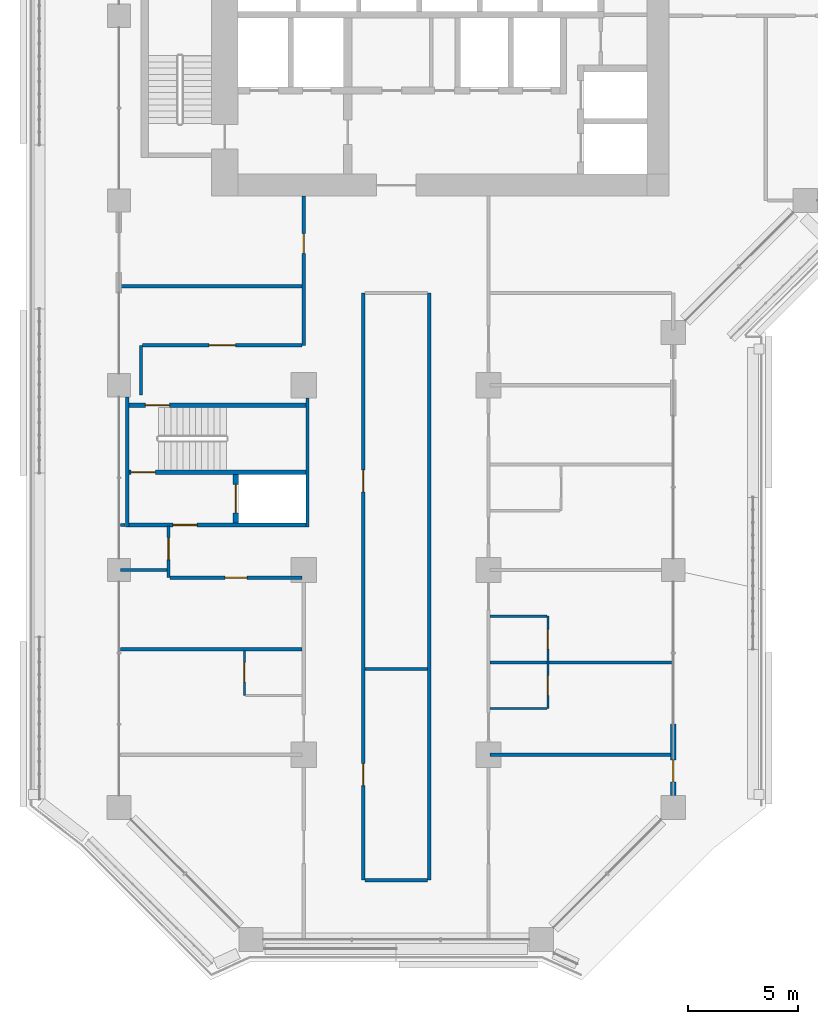
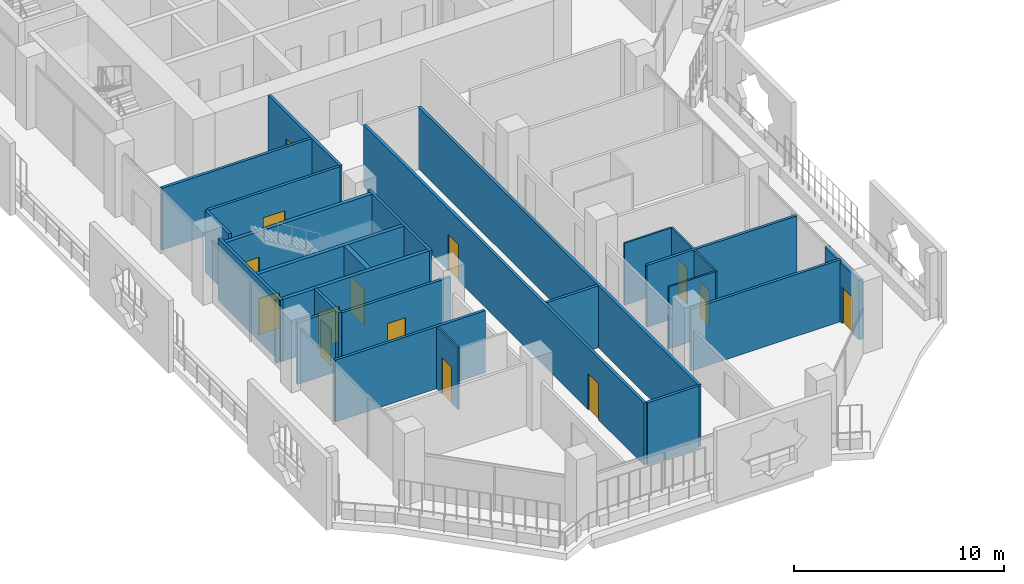
# One storey, part 13 of 27: 26 walls, 14 doors, 14 openings.
"""IFC4 building model written with IfcOpenShell, lengths in metres."""

from ifc_helpers import new_model, si_unit, direction, frame, frame_2d, origin, place, context, subcontext, project, spatial, rectangle, extrude, material, layer, layer_set, type_object, element, fill, save


model = new_model("IFC4")

# Units and contexts
model_context = context("Model", 3, precision=1e-05, world=origin(), true_north=direction((0.0, 1.0)))
body_context = subcontext(model_context, "Body", "Model", "MODEL_VIEW")
ifc_project = project(units=[si_unit("LENGTHUNIT", "METRE"), si_unit("AREAUNIT", "SQUARE_METRE"), si_unit("VOLUMEUNIT", "CUBIC_METRE"), si_unit("PLANEANGLEUNIT", "RADIAN"), si_unit("MASSUNIT", "GRAM", prefix="KILO")], contexts=[model_context])

# Site, building, storey
site_placement = place(None, origin())
site = spatial("IfcSite", under=ifc_project, at=site_placement, CompositionType="ELEMENT")
building_placement = place(site_placement, origin())
building = spatial("IfcBuilding", under=site, at=building_placement, Name="Kawkab Arch Medical Tower", CompositionType="ELEMENT")
storey_placement = place(building_placement, frame((0.0, 0.0, 115.60009765625)))
storey = spatial("IfcBuildingStorey", under=building, at=storey_placement, Name="L26", CompositionType="ELEMENT", Elevation=115.60009765625)

# Wall, opening, door
ifc_material_1 = material(Name="Concrete C60/75", Category="concrete")
ifc_layer_1 = layer(ifc_material_1, 0.25)
ifc_layer_set_1 = layer_set([ifc_layer_1], Name="Concrete C60/75")
wall_type_1 = type_object("IfcWallType", Name="Core shear wall 250 C60/75", PredefinedType="SHEAR", material=ifc_layer_set_1)
wall_1_placement = place(storey_placement, frame((5.300048828125, -39.85009765625, 0.0), z_axis=(0.0, 0.0, 1.0), x_axis=(0.0, 1.0, 0.0)))
wall_1 = element("IfcWall", 1, at=wall_1_placement, inside=storey, type_object=wall_type_1, Name="L26 core shear wall", PredefinedType="SHEAR", context=body_context, shape_type="SweptSolid", body=[
    extrude(rectangle(XDim=2.2001953125, YDim=0.25, at=frame_2d((1.10009765625, 0.0))), origin(), (0.0, 0.0, 1.0), 3.599853515625),
])
opening_1_placement = place(wall_1_placement, frame((0.449951171875, 0.0, 0.0)))
opening_1 = element("IfcOpeningElement", 2, at=opening_1_placement, cuts=wall_1, Name="Opening LD2", PredefinedType="OPENING", context=body_context, shape_type="SweptSolid", body=[
    extrude(rectangle(XDim=1.300048828125, YDim=2.10009765625, at=frame_2d((0.64990234375, 1.050048828125))), frame((0.0, 0.135009765625, 0.0), z_axis=(0.0, -1.0, 0.0), x_axis=(1.0, 0.0, 0.0)), (0.0, 0.0, 1.0), 0.27001953125),
])
ifc_material_2 = material(Name="Stainless steel lift door leaf", Category="steel")
door_type_1 = type_object("IfcDoorType", Name="Lift landing door 1300", OperationType="DOUBLE_DOOR_SLIDING", PredefinedType="DOOR", material=ifc_material_2)
door_1_placement = place(opening_1_placement, origin())
door_1 = element("IfcDoor", 3, at=door_1_placement, inside=storey, type_object=door_type_1, Name="L26 Lift landing door SV2", OperationType="DOUBLE_DOOR_SLIDING", OverallHeight=2.10009765625, OverallWidth=1.300048828125, PredefinedType="DOOR", context=body_context, shape_type="SweptSolid", body=[
    extrude(rectangle(XDim=1.300048828125, YDim=2.10009765625, at=frame_2d((0.64990234375, 1.050048828125))), frame((0.0, 0.02490234375, 0.0), z_axis=(0.0, -1.0, 0.0), x_axis=(1.0, 0.0, 0.0)), (0.0, 0.0, 1.0), 0.050048828125),
])
fill(opening_1, door_1)

ifc_material_3 = material(Name="Bronze clad insulated wall panel")
ifc_layer_2 = layer(ifc_material_3, 0.25)
ifc_layer_set_2 = layer_set([ifc_layer_2], Name="Bronze clad insulated wall panel")
wall_type_2 = type_object("IfcWallType", Name="External wall bay 250", PredefinedType="SOLIDWALL", material=ifc_layer_set_2)
wall_2_placement = place(storey_placement, frame((25.199951171875, -52.25, 0.0), z_axis=(0.0, 0.0, 1.0), x_axis=(0.0, 1.0, 0.0)))
wall_2 = element("IfcWall", 4, at=wall_2_placement, inside=storey, type_object=wall_type_2, Name="External wall bay L26.R05.1.1", PredefinedType="SOLIDWALL", context=body_context, shape_type="SweptSolid", body=[
    extrude(rectangle(XDim=3.24169921875, YDim=0.25, at=frame_2d((1.620849609375, 0.0))), origin(), (0.0, 0.0, 1.0), 3.47998046875),
])
opening_2_placement = place(wall_2_placement, frame((0.620849609375, 0.0, 0.0)))
opening_2 = element("IfcOpeningElement", 5, at=opening_2_placement, cuts=wall_2, Name="Opening W26-702", PredefinedType="OPENING", context=body_context, shape_type="SweptSolid", body=[
    extrude(rectangle(XDim=1.0, YDim=2.10009765625, at=frame_2d((0.5, 1.050048828125))), frame((0.0, 0.135009765625, 0.0), z_axis=(0.0, -1.0, 0.0), x_axis=(1.0, 0.0, 0.0)), (0.0, 0.0, 1.0), 0.27001953125),
])
ifc_material_4 = material(Name="Bronze anodised aluminium door with tinted glass", Category="aluminium")
door_type_2 = type_object("IfcDoorType", Name="Single external door 1000 x 2100", OperationType="SINGLE_SWING_LEFT", PredefinedType="DOOR", material=ifc_material_4)
door_2_placement = place(opening_2_placement, origin())
door_2 = element("IfcDoor", 6, at=door_2_placement, inside=storey, type_object=door_type_2, Name="External door L26.R05.1.1", OperationType="SINGLE_SWING_LEFT", OverallHeight=2.10009765625, OverallWidth=1.0, PredefinedType="DOOR", context=body_context, shape_type="SweptSolid", body=[
    extrude(rectangle(XDim=1.0, YDim=2.10009765625, at=frame_2d((0.5, 1.050048828125))), frame((0.0, 0.02490234375, 0.0), z_axis=(0.0, -1.0, 0.0), x_axis=(1.0, 0.0, 0.0)), (0.0, 0.0, 1.0), 0.050048828125),
])
fill(opening_2, door_2)

# Walls
ifc_material_5 = material(Name="Gypsum board partition on steel studs", Category="steel")
ifc_layer_3 = layer(ifc_material_5, 0.10009765625)
ifc_layer_set_3 = layer_set([ifc_layer_3], Name="Gypsum board partition on steel studs")
wall_type_3 = type_object("IfcWallType", Name="Partition 100", PredefinedType="PARTITIONING", material=ifc_layer_set_3)
for number, where, z_axis, x_axis, name in (
    (7, (16.875, -48.300048828125, 0.0), (0.0, 0.0, 1.0), (1.0, 0.0, 0.0), "Partition 100 w001"),
    (8, (16.875, -44.10009765625, 0.0), (0.0, 0.0, 1.0), (1.0, 0.0, 0.0), "Partition 100 w003"),
):
    element("IfcWall", number, at=place(storey_placement, frame(where, z_axis=z_axis, x_axis=x_axis)), inside=storey, type_object=wall_type_3, Name=name, PredefinedType="PARTITIONING", context=body_context, shape_type="SweptSolid", body=[
        extrude(rectangle(XDim=2.574951171875, YDim=0.10009765625, at=frame_2d((1.28759765625, 0.0))), origin(), (0.0, 0.0, 1.0), 3.599853515625),
    ])

# Wall, opening, door
wall_3_placement = place(storey_placement, frame((5.699951171875, -47.699951171875, 0.0), z_axis=(0.0, 0.0, 1.0), x_axis=(0.0, 1.0, 0.0)))
wall_3 = element("IfcWall", 9, at=wall_3_placement, inside=storey, type_object=wall_type_3, Name="Partition 100 w013", PredefinedType="PARTITIONING", context=body_context, shape_type="SweptSolid", body=[
    extrude(rectangle(XDim=2.02490234375, YDim=0.10009765625, at=frame_2d((1.012451171875, 0.0))), origin(), (0.0, 0.0, 1.0), 3.599853515625),
])
opening_3_placement = place(wall_3_placement, frame((0.60009765625, 0.0, 0.0)))
opening_3 = element("IfcOpeningElement", 10, at=opening_3_placement, cuts=wall_3, Name="Opening W26-021", PredefinedType="OPENING", context=body_context, shape_type="SweptSolid", body=[
    extrude(rectangle(XDim=0.89990234375, YDim=2.10009765625, at=frame_2d((0.449951171875, 1.050048828125))), frame((0.0, 0.06005859375, 0.0), z_axis=(0.0, -1.0, 0.0), x_axis=(1.0, 0.0, 0.0)), (0.0, 0.0, 1.0), 0.1201171875),
])
ifc_material_6 = material(Name="Timber door leaf", Category="wood")
door_type_3 = type_object("IfcDoorType", Name="Single door 900x2100", OperationType="NOTDEFINED", PredefinedType="DOOR", material=ifc_material_6)
door_3_placement = place(opening_3_placement, origin())
door_3 = element("IfcDoor", 11, at=door_3_placement, inside=storey, type_object=door_type_3, Name="Door W26-021", OperationType="SINGLE_SWING_LEFT", OverallHeight=2.10009765625, OverallWidth=0.89990234375, PredefinedType="DOOR", context=body_context, shape_type="SweptSolid", body=[
    extrude(rectangle(XDim=0.89990234375, YDim=2.10009765625, at=frame_2d((0.449951171875, 1.050048828125))), frame((0.0, 0.02490234375, 0.0), z_axis=(0.0, -1.0, 0.0), x_axis=(1.0, 0.0, 0.0)), (0.0, 0.0, 1.0), 0.050048828125),
])
fill(opening_3, door_3)

# Wall, openings, doors
wall_4_placement = place(storey_placement, frame((19.5, -48.300048828125, 0.0), z_axis=(0.0, 0.0, 1.0), x_axis=(0.0, 1.0, 0.0)))
wall_4 = element("IfcWall", 12, at=wall_4_placement, inside=storey, type_object=wall_type_3, Name="Partition 100 w014", PredefinedType="PARTITIONING", context=body_context, shape_type="SweptSolid", body=[
    extrude(rectangle(XDim=4.199951171875, YDim=0.10009765625, at=frame_2d((2.10009765625, 0.0))), origin(), (0.0, 0.0, 1.0), 3.599853515625),
])
opening_4_placement = place(wall_4_placement, frame((2.699951171875, 0.0, 0.0)))
opening_4 = element("IfcOpeningElement", 13, at=opening_4_placement, cuts=wall_4, Name="Opening W26-023", PredefinedType="OPENING", context=body_context, shape_type="SweptSolid", body=[
    extrude(rectangle(XDim=0.89990234375, YDim=2.10009765625, at=frame_2d((0.449951171875, 1.050048828125))), frame((0.0, 0.06005859375, 0.0), z_axis=(0.0, -1.0, 0.0), x_axis=(1.0, 0.0, 0.0)), (0.0, 0.0, 1.0), 0.1201171875),
])
opening_5_placement = place(wall_4_placement, frame((0.60009765625, 0.0, 0.0)))
opening_5 = element("IfcOpeningElement", 14, at=opening_5_placement, cuts=wall_4, Name="Opening W26-024", PredefinedType="OPENING", context=body_context, shape_type="SweptSolid", body=[
    extrude(rectangle(XDim=0.89990234375, YDim=2.10009765625, at=frame_2d((0.449951171875, 1.050048828125))), frame((0.0, 0.06005859375, 0.0), z_axis=(0.0, -1.0, 0.0), x_axis=(1.0, 0.0, 0.0)), (0.0, 0.0, 1.0), 0.1201171875),
])
door_4_placement = place(opening_4_placement, origin())
door_4 = element("IfcDoor", 15, at=door_4_placement, inside=storey, type_object=door_type_3, Name="Door W26-023", OperationType="SINGLE_SWING_LEFT", OverallHeight=2.10009765625, OverallWidth=0.89990234375, PredefinedType="DOOR", context=body_context, shape_type="SweptSolid", body=[
    extrude(rectangle(XDim=0.89990234375, YDim=2.10009765625, at=frame_2d((0.449951171875, 1.050048828125))), frame((0.0, 0.02490234375, 0.0), z_axis=(0.0, -1.0, 0.0), x_axis=(1.0, 0.0, 0.0)), (0.0, 0.0, 1.0), 0.050048828125),
])
fill(opening_4, door_4)
door_5_placement = place(opening_5_placement, origin())
door_5 = element("IfcDoor", 16, at=door_5_placement, inside=storey, type_object=door_type_3, Name="Door W26-024", OperationType="SINGLE_SWING_RIGHT", OverallHeight=2.10009765625, OverallWidth=0.89990234375, PredefinedType="DOOR", context=body_context, shape_type="SweptSolid", body=[
    extrude(rectangle(XDim=0.89990234375, YDim=2.10009765625, at=frame_2d((0.449951171875, 1.050048828125))), frame((0.0, 0.02490234375, 0.0), z_axis=(0.0, -1.0, 0.0), x_axis=(1.0, 0.0, 0.0)), (0.0, 0.0, 1.0), 0.050048828125),
])
fill(opening_5, door_5)

# Walls
ifc_material_7 = material(Name="Gypsum board partition on steel studs, mineral wool", Category="steel")
ifc_layer_4 = layer(ifc_material_7, 0.14990234375)
ifc_layer_set_4 = layer_set([ifc_layer_4], Name="Gypsum board partition on steel studs, mineral wool")
wall_type_4 = type_object("IfcWallType", Name="Partition 150", PredefinedType="PARTITIONING", material=ifc_layer_set_4)
wall_5_placement = place(storey_placement, frame((11.175048828125, -56.10009765625, 0.0), z_axis=(0.0, 0.0, 1.0), x_axis=(1.0, 0.0, 0.0)))
element("IfcWall", 17, at=wall_5_placement, inside=storey, type_object=wall_type_4, Name="Partition 150 w027", PredefinedType="PARTITIONING", context=body_context, shape_type="SweptSolid", body=[
    extrude(rectangle(XDim=2.849853515625, YDim=0.14990234375, at=frame_2d((1.4248046875, 0.0))), origin(), (0.0, 0.0, 1.0), 3.599853515625),
])
wall_6_placement = place(storey_placement, frame((16.875, -50.39990234375, 0.0), z_axis=(0.0, 0.0, 1.0), x_axis=(1.0, 0.0, 0.0)))
element("IfcWall", 18, at=wall_6_placement, inside=storey, type_object=wall_type_4, Name="Partition 150 w029", PredefinedType="PARTITIONING", context=body_context, shape_type="SweptSolid", body=[
    extrude(rectangle(XDim=8.2451171875, YDim=0.14990234375, at=frame_2d((4.12255859375, 0.0))), origin(), (0.0, 0.0, 1.0), 3.599853515625),
])
wall_7_placement = place(storey_placement, frame((11.175048828125, -46.5, 0.0), z_axis=(0.0, 0.0, 1.0), x_axis=(1.0, 0.0, 0.0)))
element("IfcWall", 19, at=wall_7_placement, inside=storey, type_object=wall_type_4, Name="Partition 150 w030", PredefinedType="PARTITIONING", context=body_context, shape_type="SweptSolid", body=[
    extrude(rectangle(XDim=2.849853515625, YDim=0.14990234375, at=frame_2d((1.4248046875, 0.0))), origin(), (0.0, 0.0, 1.0), 3.599853515625),
])
wall_8_placement = place(storey_placement, frame((16.875, -46.199951171875, 0.0), z_axis=(0.0, 0.0, 1.0), x_axis=(1.0, 0.0, 0.0)))
element("IfcWall", 20, at=wall_8_placement, inside=storey, type_object=wall_type_4, Name="Partition 150 w031", PredefinedType="PARTITIONING", context=body_context, shape_type="SweptSolid", body=[
    extrude(rectangle(XDim=8.2451171875, YDim=0.14990234375, at=frame_2d((4.12255859375, 0.0))), origin(), (0.0, 0.0, 1.0), 3.599853515625),
])
wall_9_placement = place(storey_placement, frame((0.080078125, -45.60009765625, 0.0), z_axis=(0.0, 0.0, 1.0), x_axis=(1.0, 0.0, 0.0)))
element("IfcWall", 21, at=wall_9_placement, inside=storey, type_object=wall_type_4, Name="Partition 150 w032", PredefinedType="PARTITIONING", context=body_context, shape_type="SweptSolid", body=[
    extrude(rectangle(XDim=8.244873046875, YDim=0.14990234375, at=frame_2d((4.12255859375, 0.0))), origin(), (0.0, 0.0, 1.0), 3.599853515625),
])

# Wall, opening, door
wall_10_placement = place(storey_placement, frame((2.326904296875, -42.35009765625, 0.0), z_axis=(0.0, 0.0, 1.0), x_axis=(1.0, 0.0, 0.0)))
wall_10 = element("IfcWall", 22, at=wall_10_placement, inside=storey, type_object=wall_type_4, Name="Partition 150 w033", PredefinedType="PARTITIONING", context=body_context, shape_type="SweptSolid", body=[
    extrude(rectangle(XDim=5.998046875, YDim=0.14990234375, at=frame_2d((2.9990234375, 0.0))), origin(), (0.0, 0.0, 1.0), 3.599853515625),
])
opening_6_placement = place(wall_10_placement, frame((2.4990234375, 0.0, 0.0)))
opening_6 = element("IfcOpeningElement", 23, at=opening_6_placement, cuts=wall_10, Name="Opening W26-032", PredefinedType="OPENING", context=body_context, shape_type="SweptSolid", body=[
    extrude(rectangle(XDim=1.0, YDim=2.10009765625, at=frame_2d((0.5, 1.050048828125))), frame((0.0, 0.0849609375, 0.0), z_axis=(0.0, -1.0, 0.0), x_axis=(1.0, 0.0, 0.0)), (0.0, 0.0, 1.0), 0.169921875),
])
ifc_material_8 = material(Name="Hollow metal door leaf")
door_type_4 = type_object("IfcDoorType", Name="Single door 1000x2100 FD30S", OperationType="NOTDEFINED", PredefinedType="DOOR", material=ifc_material_8)
door_6_placement = place(opening_6_placement, origin())
door_6 = element("IfcDoor", 24, at=door_6_placement, inside=storey, type_object=door_type_4, Name="Door W26-032", OperationType="SINGLE_SWING_RIGHT", OverallHeight=2.10009765625, OverallWidth=1.0, PredefinedType="DOOR", context=body_context, shape_type="SweptSolid", body=[
    extrude(rectangle(XDim=1.0, YDim=2.10009765625, at=frame_2d((0.5, 1.050048828125))), frame((0.0, 0.02490234375, 0.0), z_axis=(0.0, -1.0, 0.0), x_axis=(1.0, 0.0, 0.0)), (0.0, 0.0, 1.0), 0.050048828125),
])
fill(opening_6, door_6)

# Walls
wall_11_placement = place(storey_placement, frame((0.080078125, -42.0, 0.0), z_axis=(0.0, 0.0, 1.0), x_axis=(1.0, 0.0, 0.0)))
element("IfcWall", 25, at=wall_11_placement, inside=storey, type_object=wall_type_4, Name="Partition 150 w034", PredefinedType="PARTITIONING", context=body_context, shape_type="SweptSolid", body=[
    extrude(rectangle(XDim=2.094970703125, YDim=0.14990234375, at=frame_2d((1.04736328125, 0.0))), origin(), (0.0, 0.0, 1.0), 3.599853515625),
])
wall_12_placement = place(storey_placement, frame((0.080078125, -39.949951171875, 0.0), z_axis=(0.0, 0.0, 1.0), x_axis=(1.0, 0.0, 0.0)))
element("IfcWall", 26, at=wall_12_placement, inside=storey, type_object=wall_type_4, Name="Partition 150 w036", PredefinedType="PARTITIONING", context=body_context, shape_type="SweptSolid", body=[
    extrude(rectangle(XDim=0.18994140625, YDim=0.14990234375, at=frame_2d((0.094970703125, 0.0))), origin(), (0.0, 0.0, 1.0), 3.599853515625),
])

# Wall, opening, door
wall_13_placement = place(storey_placement, frame((1.076904296875, -31.781982421875, 0.0), z_axis=(0.0, 0.0, 1.0), x_axis=(1.0, 0.0, 0.0)))
wall_13 = element("IfcWall", 27, at=wall_13_placement, inside=storey, type_object=wall_type_4, Name="Partition 150 w039", PredefinedType="PARTITIONING", context=body_context, shape_type="SweptSolid", body=[
    extrude(rectangle(XDim=7.248046875, YDim=0.14990234375, at=frame_2d((3.6240234375, 0.0))), origin(), (0.0, 0.0, 1.0), 3.599853515625),
])
opening_7_placement = place(wall_13_placement, frame((3.02392578125, 0.0, 0.0)))
opening_7 = element("IfcOpeningElement", 28, at=opening_7_placement, cuts=wall_13, Name="Opening W26-052", PredefinedType="OPENING", context=body_context, shape_type="SweptSolid", body=[
    extrude(rectangle(XDim=1.199951171875, YDim=2.10009765625, at=frame_2d((0.60009765625, 1.050048828125))), frame((0.0, 0.0849609375, 0.0), z_axis=(0.0, -1.0, 0.0), x_axis=(1.0, 0.0, 0.0)), (0.0, 0.0, 1.0), 0.169921875),
])
ifc_material_9 = material(Name="Hollow metal door leaf")
door_type_5 = type_object("IfcDoorType", Name="Single door 1200x2100 FD30S", OperationType="NOTDEFINED", PredefinedType="DOOR", material=ifc_material_9)
door_7_placement = place(opening_7_placement, origin())
door_7 = element("IfcDoor", 29, at=door_7_placement, inside=storey, type_object=door_type_5, Name="Door W26-052", OperationType="SINGLE_SWING_LEFT", OverallHeight=2.10009765625, OverallWidth=1.199951171875, PredefinedType="DOOR", context=body_context, shape_type="SweptSolid", body=[
    extrude(rectangle(XDim=1.199951171875, YDim=2.10009765625, at=frame_2d((0.60009765625, 1.050048828125))), frame((0.0, 0.02490234375, 0.0), z_axis=(0.0, -1.0, 0.0), x_axis=(1.0, 0.0, 0.0)), (0.0, 0.0, 1.0), 0.050048828125),
])
fill(opening_7, door_7)

# Walls
wall_14_placement = place(storey_placement, frame((0.080078125, -29.10009765625, 0.0), z_axis=(0.0, 0.0, 1.0), x_axis=(1.0, 0.0, 0.0)))
element("IfcWall", 30, at=wall_14_placement, inside=storey, type_object=wall_type_4, Name="Partition 150 w042", PredefinedType="PARTITIONING", context=body_context, shape_type="SweptSolid", body=[
    extrude(rectangle(XDim=8.244873046875, YDim=0.14990234375, at=frame_2d((4.12255859375, 0.0))), origin(), (0.0, 0.0, 1.0), 3.599853515625),
])
wall_15_placement = place(storey_placement, frame((1.0, -34.048095703125, 0.0), z_axis=(0.0, 0.0, 1.0), x_axis=(0.0, 1.0, 0.0)))
element("IfcWall", 31, at=wall_15_placement, inside=storey, type_object=wall_type_4, Name="Partition 150 w056", PredefinedType="PARTITIONING", context=body_context, shape_type="SweptSolid", body=[
    extrude(rectangle(XDim=2.26513671875, YDim=0.14990234375, at=frame_2d((1.132568359375, 0.0))), origin(), (0.0, 0.0, 1.0), 3.599853515625),
])

# Wall, opening, door
wall_16_placement = place(storey_placement, frame((2.25, -42.347900390625, 0.0), z_axis=(0.0, 0.0, 1.0), x_axis=(0.0, 1.0, 0.0)))
wall_16 = element("IfcWall", 32, at=wall_16_placement, inside=storey, type_object=wall_type_4, Name="Partition 150 w057", PredefinedType="PARTITIONING", context=body_context, shape_type="SweptSolid", body=[
    extrude(rectangle(XDim=2.347900390625, YDim=0.14990234375, at=frame_2d((1.173828125, 0.0))), origin(), (0.0, 0.0, 1.0), 3.599853515625),
])
opening_8_placement = place(wall_16_placement, frame((0.822998046875, 0.0, 0.0)))
opening_8 = element("IfcOpeningElement", 33, at=opening_8_placement, cuts=wall_16, Name="Opening W26-031", PredefinedType="OPENING", context=body_context, shape_type="SweptSolid", body=[
    extrude(rectangle(XDim=1.0, YDim=2.10009765625, at=frame_2d((0.5, 1.050048828125))), frame((0.0, 0.0849609375, 0.0), z_axis=(0.0, -1.0, 0.0), x_axis=(1.0, 0.0, 0.0)), (0.0, 0.0, 1.0), 0.169921875),
])
door_8_placement = place(opening_8_placement, origin())
door_8 = element("IfcDoor", 34, at=door_8_placement, inside=storey, type_object=door_type_4, Name="Door W26-031", OperationType="SINGLE_SWING_RIGHT", OverallHeight=2.10009765625, OverallWidth=1.0, PredefinedType="DOOR", context=body_context, shape_type="SweptSolid", body=[
    extrude(rectangle(XDim=1.0, YDim=2.10009765625, at=frame_2d((0.5, 1.050048828125))), frame((0.0, 0.02490234375, 0.0), z_axis=(0.0, -1.0, 0.0), x_axis=(1.0, 0.0, 0.0)), (0.0, 0.0, 1.0), 0.050048828125),
])
fill(opening_8, door_8)

wall_17_placement = place(storey_placement, frame((8.39990234375, -31.781982421875, 0.0), z_axis=(0.0, 0.0, 1.0), x_axis=(0.0, 1.0, 0.0)))
wall_17 = element("IfcWall", 35, at=wall_17_placement, inside=storey, type_object=wall_type_4, Name="Partition 150 w059", PredefinedType="PARTITIONING", context=body_context, shape_type="SweptSolid", body=[
    extrude(rectangle(XDim=6.781982421875, YDim=0.14990234375, at=frame_2d((3.39111328125, 0.0))), origin(), (0.0, 0.0, 1.0), 3.599853515625),
])
opening_9_placement = place(wall_17_placement, frame((4.181884765625, 0.0, 0.0)))
opening_9 = element("IfcOpeningElement", 36, at=opening_9_placement, cuts=wall_17, Name="Opening W26-020", PredefinedType="OPENING", context=body_context, shape_type="SweptSolid", body=[
    extrude(rectangle(XDim=0.89990234375, YDim=2.10009765625, at=frame_2d((0.449951171875, 1.050048828125))), frame((0.0, 0.0849609375, 0.0), z_axis=(0.0, -1.0, 0.0), x_axis=(1.0, 0.0, 0.0)), (0.0, 0.0, 1.0), 0.169921875),
])
door_9_placement = place(opening_9_placement, origin())
door_9 = element("IfcDoor", 37, at=door_9_placement, inside=storey, type_object=door_type_3, Name="Door W26-020", OperationType="SINGLE_SWING_RIGHT", OverallHeight=2.10009765625, OverallWidth=0.89990234375, PredefinedType="DOOR", context=body_context, shape_type="SweptSolid", body=[
    extrude(rectangle(XDim=0.89990234375, YDim=2.10009765625, at=frame_2d((0.449951171875, 1.050048828125))), frame((0.0, 0.02490234375, 0.0), z_axis=(0.0, -1.0, 0.0), x_axis=(1.0, 0.0, 0.0)), (0.0, 0.0, 1.0), 0.050048828125),
])
fill(opening_9, door_9)

# Wall, openings, doors
wall_18_placement = place(storey_placement, frame((11.10009765625, -56.10009765625, 0.0), z_axis=(0.0, 0.0, 1.0), x_axis=(0.0, 1.0, 0.0)))
wall_18 = element("IfcWall", 38, at=wall_18_placement, inside=storey, type_object=wall_type_4, Name="Partition 150 w060", PredefinedType="PARTITIONING", context=body_context, shape_type="SweptSolid", body=[
    extrude(rectangle(XDim=26.7001953125, YDim=0.14990234375, at=frame_2d((13.35009765625, 0.0))), origin(), (0.0, 0.0, 1.0), 3.599853515625),
])
opening_10_placement = place(wall_18_placement, frame((17.64990234375, 0.0, 0.0)))
opening_10 = element("IfcOpeningElement", 39, at=opening_10_placement, cuts=wall_18, Name="Opening W26-033", PredefinedType="OPENING", context=body_context, shape_type="SweptSolid", body=[
    extrude(rectangle(XDim=1.0, YDim=2.10009765625, at=frame_2d((0.5, 1.050048828125))), frame((0.0, 0.0849609375, 0.0), z_axis=(0.0, -1.0, 0.0), x_axis=(1.0, 0.0, 0.0)), (0.0, 0.0, 1.0), 0.169921875),
])
opening_11_placement = place(wall_18_placement, frame((4.300048828125, 0.0, 0.0)))
opening_11 = element("IfcOpeningElement", 40, at=opening_11_placement, cuts=wall_18, Name="Opening W26-034", PredefinedType="OPENING", context=body_context, shape_type="SweptSolid", body=[
    extrude(rectangle(XDim=1.0, YDim=2.10009765625, at=frame_2d((0.5, 1.050048828125))), frame((0.0, 0.0849609375, 0.0), z_axis=(0.0, -1.0, 0.0), x_axis=(1.0, 0.0, 0.0)), (0.0, 0.0, 1.0), 0.169921875),
])
door_10_placement = place(opening_10_placement, origin())
door_10 = element("IfcDoor", 41, at=door_10_placement, inside=storey, type_object=door_type_4, Name="Door W26-033", OperationType="SINGLE_SWING_LEFT", OverallHeight=2.10009765625, OverallWidth=1.0, PredefinedType="DOOR", context=body_context, shape_type="SweptSolid", body=[
    extrude(rectangle(XDim=1.0, YDim=2.10009765625, at=frame_2d((0.5, 1.050048828125))), frame((0.0, 0.02490234375, 0.0), z_axis=(0.0, -1.0, 0.0), x_axis=(1.0, 0.0, 0.0)), (0.0, 0.0, 1.0), 0.050048828125),
])
fill(opening_10, door_10)
door_11_placement = place(opening_11_placement, origin())
door_11 = element("IfcDoor", 42, at=door_11_placement, inside=storey, type_object=door_type_4, Name="Door W26-034", OperationType="SINGLE_SWING_RIGHT", OverallHeight=2.10009765625, OverallWidth=1.0, PredefinedType="DOOR", context=body_context, shape_type="SweptSolid", body=[
    extrude(rectangle(XDim=1.0, YDim=2.10009765625, at=frame_2d((0.5, 1.050048828125))), frame((0.0, 0.02490234375, 0.0), z_axis=(0.0, -1.0, 0.0), x_axis=(1.0, 0.0, 0.0)), (0.0, 0.0, 1.0), 0.050048828125),
])
fill(opening_11, door_11)

# Walls
wall_19_placement = place(storey_placement, frame((14.10009765625, -56.10009765625, 0.0), z_axis=(0.0, 0.0, 1.0), x_axis=(0.0, 1.0, 0.0)))
element("IfcWall", 43, at=wall_19_placement, inside=storey, type_object=wall_type_4, Name="Partition 150 w061", PredefinedType="PARTITIONING", context=body_context, shape_type="SweptSolid", body=[
    extrude(rectangle(XDim=26.7001953125, YDim=0.14990234375, at=frame_2d((13.35009765625, 0.0))), origin(), (0.0, 0.0, 1.0), 3.599853515625),
])
ifc_material_10 = material(Name="Concrete C50/60", Category="concrete")
ifc_layer_5 = layer(ifc_material_10, 0.14990234375)
ifc_layer_set_5 = layer_set([ifc_layer_5], Name="Concrete C50/60")
wall_type_5 = type_object("IfcWallType", Name="Stair enclosure wall 150 C50/60", PredefinedType="SHEAR", material=ifc_layer_set_5)
wall_20_placement = place(storey_placement, frame((0.375, -40.050048828125, 0.0), z_axis=(0.0, 0.0, 1.0), x_axis=(0.0, 1.0, 0.0)))
element("IfcWall", 44, at=wall_20_placement, inside=storey, type_object=wall_type_5, Name="L26 stair enclosure wall", PredefinedType="SHEAR", context=body_context, shape_type="SweptSolid", body=[
    extrude(rectangle(XDim=5.925048828125, YDim=0.14990234375, at=frame_2d((2.96240234375, 0.0))), origin(), (0.0, 0.0, 1.0), 3.599853515625),
])
wall_21_placement = place(storey_placement, frame((8.574951171875, -40.050048828125, 0.0), z_axis=(0.0, 0.0, 1.0), x_axis=(0.0, 1.0, 0.0)))
element("IfcWall", 45, at=wall_21_placement, inside=storey, type_object=wall_type_5, Name="L26 stair enclosure wall", PredefinedType="SHEAR", context=body_context, shape_type="SweptSolid", body=[
    extrude(rectangle(XDim=5.875, YDim=0.14990234375, at=frame_2d((2.9375, 0.0))), origin(), (0.0, 0.0, 1.0), 3.599853515625),
])

# Wall, opening, door
ifc_material_11 = material(Name="Concrete C50/60", Category="concrete")
ifc_layer_6 = layer(ifc_material_11, 0.199951171875)
ifc_layer_set_6 = layer_set([ifc_layer_6], Name="Concrete C50/60")
wall_type_6 = type_object("IfcWallType", Name="Stair enclosure wall 200 C50/60", PredefinedType="SHEAR", material=ifc_layer_set_6)
wall_22_placement = place(storey_placement, frame((0.449951171875, -34.5, 0.0), z_axis=(0.0, 0.0, 1.0), x_axis=(1.0, 0.0, 0.0)))
wall_22 = element("IfcWall", 46, at=wall_22_placement, inside=storey, type_object=wall_type_6, Name="L26 stair enclosure wall", PredefinedType="SHEAR", context=body_context, shape_type="SweptSolid", body=[
    extrude(rectangle(XDim=8.050048828125, YDim=0.199951171875, at=frame_2d((4.02490234375, 0.0))), origin(), (0.0, 0.0, 1.0), 3.599853515625),
])
opening_12_placement = place(wall_22_placement, frame((0.75, 0.0, 0.0)))
opening_12 = element("IfcOpeningElement", 47, at=opening_12_placement, cuts=wall_22, Name="Opening SD", PredefinedType="OPENING", context=body_context, shape_type="SweptSolid", body=[
    extrude(rectangle(XDim=1.10009765625, YDim=2.10009765625, at=frame_2d((0.550048828125, 1.050048828125))), frame((0.0, 0.10986328125, 0.0), z_axis=(0.0, -1.0, 0.0), x_axis=(1.0, 0.0, 0.0)), (0.0, 0.0, 1.0), 0.219970703125),
])
ifc_material_12 = material(Name="Hollow metal fire door leaf")
door_type_6 = type_object("IfcDoorType", Name="Exit stair door 1100", OperationType="SINGLE_SWING_LEFT", PredefinedType="DOOR", material=ifc_material_12)
door_12_placement = place(opening_12_placement, origin())
door_12 = element("IfcDoor", 48, at=door_12_placement, inside=storey, type_object=door_type_6, Name="L26 Exit stair ST6 door", OperationType="SINGLE_SWING_LEFT", OverallHeight=2.10009765625, OverallWidth=1.10009765625, PredefinedType="DOOR", context=body_context, shape_type="SweptSolid", body=[
    extrude(rectangle(XDim=1.10009765625, YDim=2.10009765625, at=frame_2d((0.550048828125, 1.050048828125))), frame((0.0, 0.02490234375, 0.0), z_axis=(0.0, -1.0, 0.0), x_axis=(1.0, 0.0, 0.0)), (0.0, 0.0, 1.0), 0.050048828125),
])
fill(opening_12, door_12)

wall_23_placement = place(storey_placement, frame((0.449951171875, -37.550048828125, 0.0), z_axis=(0.0, 0.0, 1.0), x_axis=(1.0, 0.0, 0.0)))
wall_23 = element("IfcWall", 49, at=wall_23_placement, inside=storey, type_object=wall_type_6, Name="L26 stair enclosure wall", PredefinedType="SHEAR", context=body_context, shape_type="SweptSolid", body=[
    extrude(rectangle(XDim=8.050048828125, YDim=0.199951171875, at=frame_2d((4.02490234375, 0.0))), origin(), (0.0, 0.0, 1.0), 3.599853515625),
])
opening_13_placement = place(wall_23_placement, frame((0.10009765625, 0.0, 0.0)))
opening_13 = element("IfcOpeningElement", 50, at=opening_13_placement, cuts=wall_23, Name="Opening SD", PredefinedType="OPENING", context=body_context, shape_type="SweptSolid", body=[
    extrude(rectangle(XDim=1.10009765625, YDim=2.10009765625, at=frame_2d((0.550048828125, 1.050048828125))), frame((0.0, 0.10986328125, 0.0), z_axis=(0.0, -1.0, 0.0), x_axis=(1.0, 0.0, 0.0)), (0.0, 0.0, 1.0), 0.219970703125),
])
door_13_placement = place(opening_13_placement, frame((1.10009765625, 0.0, 0.0), z_axis=(0.0, 0.0, 1.0), x_axis=(-1.0, 0.0, 0.0)))
door_13 = element("IfcDoor", 51, at=door_13_placement, inside=storey, type_object=door_type_6, Name="L26 Exit stair ST6 lobby door", OperationType="SINGLE_SWING_LEFT", OverallHeight=2.10009765625, OverallWidth=1.10009765625, PredefinedType="DOOR", context=body_context, shape_type="SweptSolid", body=[
    extrude(rectangle(XDim=1.10009765625, YDim=2.10009765625, at=frame_2d((0.550048828125, 1.050048828125))), frame((0.0, 0.02490234375, 0.0), z_axis=(0.0, -1.0, 0.0), x_axis=(1.0, 0.0, 0.0)), (0.0, 0.0, 1.0), 0.050048828125),
])
fill(opening_13, door_13)

wall_24_placement = place(storey_placement, frame((0.449951171875, -39.949951171875, 0.0), z_axis=(0.0, 0.0, 1.0), x_axis=(1.0, 0.0, 0.0)))
wall_24 = element("IfcWall", 52, at=wall_24_placement, inside=storey, type_object=wall_type_6, Name="L26 stair enclosure wall", PredefinedType="SHEAR", context=body_context, shape_type="SweptSolid", body=[
    extrude(rectangle(XDim=8.050048828125, YDim=0.199951171875, at=frame_2d((4.02490234375, 0.0))), origin(), (0.0, 0.0, 1.0), 3.599853515625),
])
opening_14_placement = place(wall_24_placement, frame((2.0, 0.0, 0.0)))
opening_14 = element("IfcOpeningElement", 53, at=opening_14_placement, cuts=wall_24, Name="Opening FD", PredefinedType="OPENING", context=body_context, shape_type="SweptSolid", body=[
    extrude(rectangle(XDim=1.10009765625, YDim=2.10009765625, at=frame_2d((0.550048828125, 1.050048828125))), frame((0.0, 0.10986328125, 0.0), z_axis=(0.0, -1.0, 0.0), x_axis=(1.0, 0.0, 0.0)), (0.0, 0.0, 1.0), 0.219970703125),
])
ifc_material_13 = material(Name="Hollow metal fire door leaf")
door_type_7 = type_object("IfcDoorType", Name="Firefighting lobby door 1100", OperationType="SINGLE_SWING_LEFT", PredefinedType="DOOR", material=ifc_material_13)
door_14_placement = place(opening_14_placement, origin())
door_14 = element("IfcDoor", 54, at=door_14_placement, inside=storey, type_object=door_type_7, Name="L26 Service lift lobby door SV2", OperationType="SINGLE_SWING_LEFT", OverallHeight=2.10009765625, OverallWidth=1.10009765625, PredefinedType="DOOR", context=body_context, shape_type="SweptSolid", body=[
    extrude(rectangle(XDim=1.10009765625, YDim=2.10009765625, at=frame_2d((0.550048828125, 1.050048828125))), frame((0.0, 0.02490234375, 0.0), z_axis=(0.0, -1.0, 0.0), x_axis=(1.0, 0.0, 0.0)), (0.0, 0.0, 1.0), 0.050048828125),
])
fill(opening_14, door_14)

save(model, "model.ifc")
